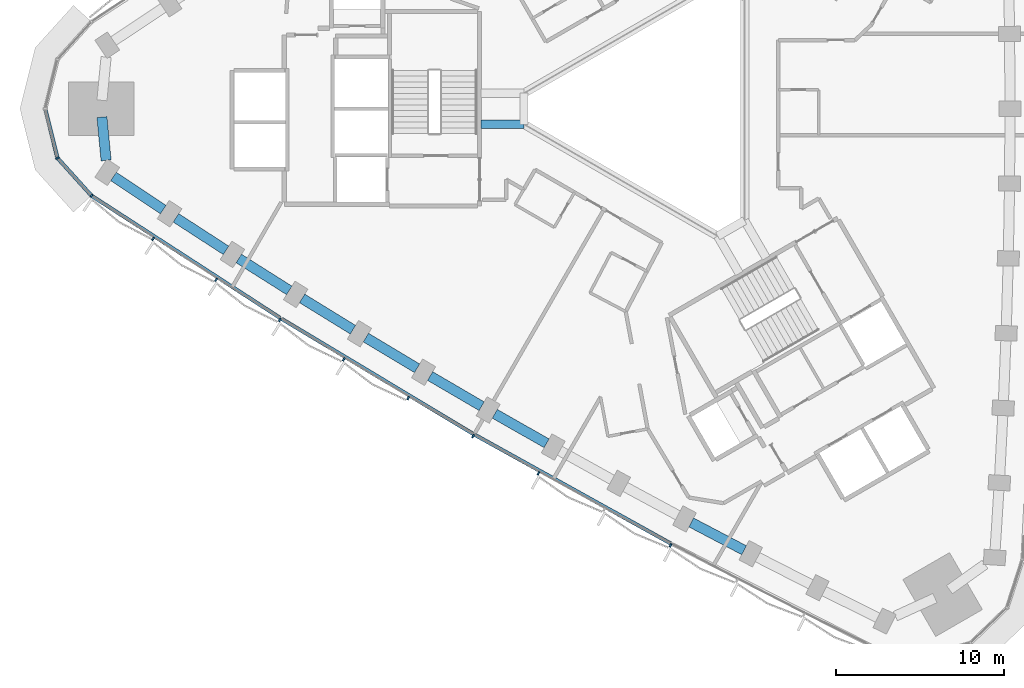
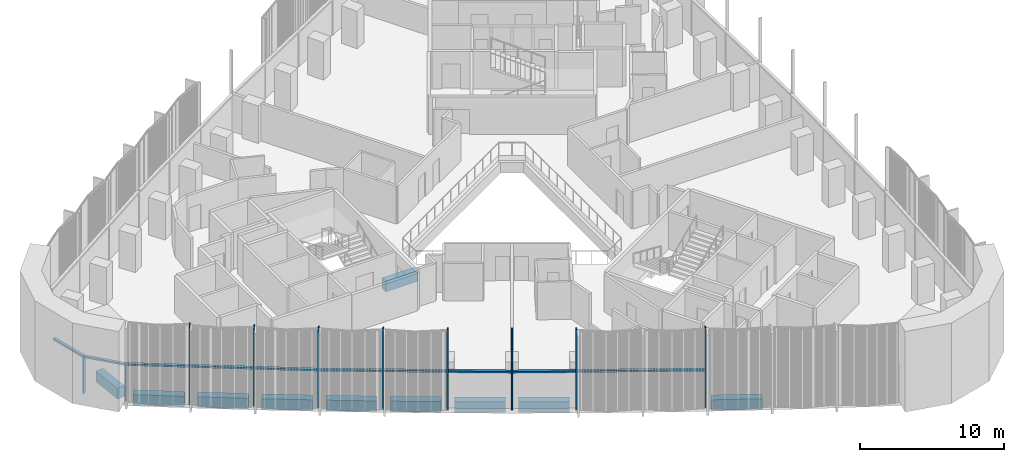
# One storey, part 2 of 15: 15 members, 10 beams, 2 elements without a shape of their own.
"""IFC4 building model written with IfcOpenShell, lengths in metres."""

from ifc_helpers import new_model, si_unit, direction, frame, origin, origin_2d, place, context, subcontext, project, spatial, rectangle, extrude, material, material_profile, profile_set, type_object, element, aggregate, save


model = new_model("IFC4")

# Units and contexts
model_context = context("Model", 3, precision=1e-05, world=origin(), true_north=direction((0.0, 1.0)))
body_context = subcontext(model_context, "Body", "Model", "MODEL_VIEW")
ifc_project = project(units=[si_unit("LENGTHUNIT", "METRE"), si_unit("AREAUNIT", "SQUARE_METRE"), si_unit("VOLUMEUNIT", "CUBIC_METRE"), si_unit("PLANEANGLEUNIT", "RADIAN"), si_unit("MASSUNIT", "GRAM", prefix="KILO")], contexts=[model_context])

# Site, building, storey
site_placement = place(None, origin())
site = spatial("IfcSite", under=ifc_project, at=site_placement, CompositionType="ELEMENT")
building_placement = place(site_placement, origin())
building = spatial("IfcBuilding", under=site, at=building_placement, Name="Tamra Quay Hotel Tower", CompositionType="ELEMENT")
storey_placement = place(building_placement, frame((0.0, 0.0, 111.800048828125)))
storey = spatial("IfcBuildingStorey", under=building, at=storey_placement, Name="L27", CompositionType="ELEMENT", Elevation=111.800048828125)

# Beam
ifc_material_1 = material(Name="Concrete M60", Category="concrete")
ifc_material_profile_1 = material_profile(ifc_material_1, rectangle(XDim=0.5, YDim=0.89990234375, at=origin_2d()), Name="ATRIUM TIE BEAM RC 500x900")
ifc_profile_set_1 = profile_set([ifc_material_profile_1], Name="Concrete M60")
beam_type_1 = type_object("IfcBeamType", Name="ATRIUM TIE BEAM RC 500x900", PredefinedType="BEAM", material=ifc_profile_set_1)
beam_1_placement = place(storey_placement, frame((-8.199951171875, -0.923828125, -0.875), z_axis=(-1.0, 0.0, 0.0), x_axis=(0.0, -1.0, 0.0)))
element("IfcBeam", 1, at=beam_1_placement, inside=storey, type_object=beam_type_1, Name="BM-TIE-3-L27", PredefinedType="BEAM", context=body_context, shape_type="SweptSolid", body=[
    extrude(rectangle(XDim=0.5, YDim=0.89990234375, at=origin_2d()), origin(), (0.0, 0.0, 1.0), 2.562255859375),
])

# Curtain wall, member
ifc_material_2 = material(Name="Aluminium 6063 anodised dark grey", Category="aluminium")
curtain_wall_type_1 = type_object("IfcCurtainWallType", Name="CW2 CURTAIN WALL", PredefinedType="NOTDEFINED", material=ifc_material_2)
curtain_wall_1_placement = place(storey_placement, origin())
curtain_wall_1 = element("IfcCurtainWall", 2, at=curtain_wall_1_placement, inside=storey, type_object=curtain_wall_type_1, Name="CW2 north-west face L27", PredefinedType="NOTDEFINED")
ifc_material_profile_2 = material_profile(ifc_material_2, rectangle(XDim=0.219970703125, YDim=0.10009765625, at=origin_2d()), Name="MULLION 100X220")
ifc_profile_set_2 = profile_set([ifc_material_profile_2], Name="Aluminium 6063 anodised dark grey")
member_type_1 = type_object("IfcMemberType", Name="MULLION CW2 Z2", PredefinedType="MULLION", material=ifc_profile_set_2)
member_1_placement = place(storey_placement, frame((-35.90673828125, -2.9267578125, 0.0), z_axis=(0.0, 0.0, 1.0), x_axis=(-0.882543846683, -0.47023011248, 0.0)))
member_1 = element("IfcMember", 3, at=member_1_placement, type_object=member_type_1, Name="CW2 mullion L27.NW.16", PredefinedType="MULLION", context=body_context, shape_type="SweptSolid", body=[
    extrude(rectangle(XDim=0.219970703125, YDim=0.10009765625, at=origin_2d()), origin(), (0.0, 0.0, 1.0), 3.175048828125),
])

# Curtain wall, members
curtain_wall_type_2 = type_object("IfcCurtainWallType", Name="CW3 CURTAIN WALL", PredefinedType="NOTDEFINED", material=ifc_material_2)
curtain_wall_2_placement = place(storey_placement, origin())
curtain_wall_2 = element("IfcCurtainWall", 4, at=curtain_wall_2_placement, inside=storey, type_object=curtain_wall_type_2, Name="CW3 south-west face L27", PredefinedType="NOTDEFINED")
ifc_material_profile_3 = material_profile(ifc_material_2, rectangle(XDim=0.219970703125, YDim=0.10009765625, at=origin_2d()), Name="MULLION 100X220")
ifc_profile_set_3 = profile_set([ifc_material_profile_3], Name="Aluminium 6063 anodised dark grey")
member_type_2 = type_object("IfcMemberType", Name="MULLION CW3 Z2", PredefinedType="MULLION", material=ifc_profile_set_3)
member_2_placement = place(storey_placement, frame((-33.88525390625, -5.166015625, 0.0), z_axis=(0.0, 0.0, 1.0), x_axis=(-0.652886907072, -0.757455402366, 0.0)))
member_2 = element("IfcMember", 5, at=member_2_placement, type_object=member_type_2, Name="CW3 mullion L27.SW.1", PredefinedType="MULLION", context=body_context, shape_type="SweptSolid", body=[
    extrude(rectangle(XDim=0.219970703125, YDim=0.10009765625, at=origin_2d()), origin(), (0.0, 0.0, 1.0), 3.175048828125),
])
member_3_placement = place(storey_placement, frame((-30.2275390625, -7.7275390625, 0.0), z_axis=(0.0, 0.0, 1.0), x_axis=(-0.548547395815, -0.836119461886, 0.0)))
member_3 = element("IfcMember", 6, at=member_3_placement, type_object=member_type_2, Name="CW3 mullion L27.SW.2", PredefinedType="MULLION", context=body_context, shape_type="SweptSolid", body=[
    extrude(rectangle(XDim=0.219970703125, YDim=0.10009765625, at=origin_2d()), origin(), (0.0, 0.0, 1.0), 6.800048828125),
])
member_4_placement = place(storey_placement, frame((-26.480224609375, -10.155517578125, 0.0), z_axis=(0.0, 0.0, 1.0), x_axis=(-0.538998382955, -0.842306798721, 0.0)))
member_4 = element("IfcMember", 7, at=member_4_placement, type_object=member_type_2, Name="CW3 mullion L27.SW.3", PredefinedType="MULLION", context=body_context, shape_type="SweptSolid", body=[
    extrude(rectangle(XDim=0.219970703125, YDim=0.10009765625, at=origin_2d()), origin(), (0.0, 0.0, 1.0), 6.800048828125),
])
member_5_placement = place(storey_placement, frame((-22.70556640625, -12.540771484375, 0.0), z_axis=(0.0, 0.0, 1.0), x_axis=(-0.529364244047, -0.848394658826, 0.0)))
member_5 = element("IfcMember", 8, at=member_5_placement, type_object=member_type_2, Name="CW3 mullion L27.SW.4", PredefinedType="MULLION", context=body_context, shape_type="SweptSolid", body=[
    extrude(rectangle(XDim=0.219970703125, YDim=0.10009765625, at=origin_2d()), origin(), (0.0, 0.0, 1.0), 6.800048828125),
])
member_6_placement = place(storey_placement, frame((-18.90380859375, -14.883056640625, 0.0), z_axis=(0.0, 0.0, 1.0), x_axis=(-0.519649964402, -0.854379256827, 0.0)))
member_6 = element("IfcMember", 9, at=member_6_placement, type_object=member_type_2, Name="CW3 mullion L27.SW.5", PredefinedType="MULLION", context=body_context, shape_type="SweptSolid", body=[
    extrude(rectangle(XDim=0.219970703125, YDim=0.10009765625, at=origin_2d()), origin(), (0.0, 0.0, 1.0), 6.800048828125),
])
member_7_placement = place(storey_placement, frame((-15.07568359375, -17.181396484375, 0.0), z_axis=(0.0, 0.0, 1.0), x_axis=(-0.50986039475, -0.860257157985, 0.0)))
member_7 = element("IfcMember", 10, at=member_7_placement, type_object=member_type_2, Name="CW3 mullion L27.SW.6", PredefinedType="MULLION", context=body_context, shape_type="SweptSolid", body=[
    extrude(rectangle(XDim=0.219970703125, YDim=0.10009765625, at=origin_2d()), origin(), (0.0, 0.0, 1.0), 6.800048828125),
])
member_8_placement = place(storey_placement, frame((-11.221435546875, -19.436279296875, 0.0), z_axis=(0.0, 0.0, 1.0), x_axis=(-0.5, -0.866025403784, 0.0)))
member_8 = element("IfcMember", 11, at=member_8_placement, type_object=member_type_2, Name="CW3 mullion L27.SW.7", PredefinedType="MULLION", context=body_context, shape_type="SweptSolid", body=[
    extrude(rectangle(XDim=0.219970703125, YDim=0.10009765625, at=origin_2d()), origin(), (0.0, 0.0, 1.0), 6.800048828125),
])
member_9_placement = place(storey_placement, frame((-7.341796875, -21.646728515625, 0.0), z_axis=(0.0, 0.0, 1.0), x_axis=(-0.490074355228, -0.87168063323, 0.0)))
member_9 = element("IfcMember", 12, at=member_9_placement, type_object=member_type_2, Name="CW3 mullion L27.SW.8", PredefinedType="MULLION", context=body_context, shape_type="SweptSolid", body=[
    extrude(rectangle(XDim=0.219970703125, YDim=0.10009765625, at=origin_2d()), origin(), (0.0, 0.0, 1.0), 6.800048828125),
])
member_10_placement = place(storey_placement, frame((0.491943359375, -25.93408203125, 0.0), z_axis=(0.0, 0.0, 1.0), x_axis=(-0.470049204955, -0.882640212613, 0.0)))
member_10 = element("IfcMember", 13, at=member_10_placement, type_object=member_type_2, Name="CW3 mullion L27.SW.10", PredefinedType="MULLION", context=body_context, shape_type="SweptSolid", body=[
    extrude(rectangle(XDim=0.219970703125, YDim=0.10009765625, at=origin_2d()), origin(), (0.0, 0.0, 1.0), 6.800048828125),
])

# Beams
ifc_material_profile_4 = material_profile(ifc_material_1, rectangle(XDim=0.60009765625, YDim=0.89990234375, at=origin_2d()), Name="SPANDREL BEAM RC 600x900")
ifc_profile_set_4 = profile_set([ifc_material_profile_4], Name="Concrete M60")
beam_type_2 = type_object("IfcBeamType", Name="SPANDREL BEAM RC 600x900", PredefinedType="SPANDREL", material=ifc_profile_set_4)
beam_2_placement = place(storey_placement, frame((-33.26611328125, -0.497802734375, -0.875), z_axis=(0.09550001445, -0.995429428558, 0.0), x_axis=(0.995429428558, 0.09550001445, 0.0)))
element("IfcBeam", 14, at=beam_2_placement, inside=storey, type_object=beam_type_2, Name="BM-SP2-027-L27", PredefinedType="SPANDREL", context=body_context, shape_type="SweptSolid", body=[
    extrude(rectangle(XDim=0.60009765625, YDim=0.89990234375, at=origin_2d()), origin(), (0.0, 0.0, 1.0), 2.58447265625),
])
beam_3_placement = place(storey_placement, frame((-32.57666015625, -4.025390625, -0.875), z_axis=(0.832981511469, -0.55330082374, 0.0), x_axis=(0.55330082374, 0.832981511469, 0.0)))
element("IfcBeam", 15, at=beam_3_placement, inside=storey, type_object=beam_type_2, Name="BM-SP2-028-L27", PredefinedType="SPANDREL", context=body_context, shape_type="SweptSolid", body=[
    extrude(rectangle(XDim=0.60009765625, YDim=0.89990234375, at=origin_2d()), origin(), (0.0, 0.0, 1.0), 3.544921875),
])
beam_4_placement = place(storey_placement, frame((-28.87109375, -6.480712890625, -0.875), z_axis=(0.839237385713, -0.543765216266, 0.0), x_axis=(0.543765216266, 0.839237385713, 0.0)))
element("IfcBeam", 16, at=beam_4_placement, inside=storey, type_object=beam_type_2, Name="BM-SP2-029-L27", PredefinedType="SPANDREL", context=body_context, shape_type="SweptSolid", body=[
    extrude(rectangle(XDim=0.60009765625, YDim=0.89990234375, at=origin_2d()), origin(), (0.0, 0.0, 1.0), 3.544677734375),
])
for number, where, z_axis, x_axis, name in (
    (17, (-25.13818359375, -8.893310546875, -0.875), (0.845333394052, -0.534239134566, 0.0), (0.534239134566, 0.845333394052, 0.0), "BM-SP2-030-L27"),
    (18, (-21.3779296875, -11.263427734375, -0.875), (0.851393361846, -0.524527733685, 0.0), (0.524527733685, 0.851393361846, 0.0), "BM-SP2-031-L27"),
):
    element("IfcBeam", number, at=place(storey_placement, frame(where, z_axis=z_axis, x_axis=x_axis)), inside=storey, type_object=beam_type_2, Name=name, PredefinedType="SPANDREL", context=body_context, shape_type="SweptSolid", body=[
        extrude(rectangle(XDim=0.60009765625, YDim=0.89990234375, at=origin_2d()), origin(), (0.0, 0.0, 1.0), 3.544921875),
    ])
for number, where, z_axis, x_axis, name in (
    (19, (-17.5908203125, -13.59033203125, -0.875), (0.857286231776, -0.514840088578, 0.0), (0.514840088578, 0.857286231776, 0.0), "BM-SP2-032-L27"),
    (20, (-13.777587890625, -15.8740234375, -0.875), (0.863128698129, -0.504984010109, 0.0), (0.504984010109, 0.863128698129, 0.0), "BM-SP2-033-L27"),
):
    element("IfcBeam", number, at=place(storey_placement, frame(where, z_axis=z_axis, x_axis=x_axis)), inside=storey, type_object=beam_type_2, Name=name, PredefinedType="SPANDREL", context=body_context, shape_type="SweptSolid", body=[
        extrude(rectangle(XDim=0.60009765625, YDim=0.89990234375, at=origin_2d()), origin(), (0.0, 0.0, 1.0), 3.544677734375),
    ])
beam_5_placement = place(storey_placement, frame((-9.9384765625, -18.114013671875, -0.875), z_axis=(0.868869699181, -0.495040852704, 0.0), x_axis=(0.495040852704, 0.868869699181, 0.0)))
element("IfcBeam", 21, at=beam_5_placement, inside=storey, type_object=beam_type_2, Name="BM-SP2-034-L27", PredefinedType="SPANDREL", context=body_context, shape_type="SweptSolid", body=[
    extrude(rectangle(XDim=0.60009765625, YDim=0.89990234375, at=origin_2d()), origin(), (0.0, 0.0, 1.0), 3.544921875),
])
beam_6_placement = place(storey_placement, frame((1.72900390625, -24.568603515625, -0.875), z_axis=(0.885322773021, -0.464976975312, 0.0), x_axis=(0.464976975312, 0.885322773021, 0.0)))
element("IfcBeam", 22, at=beam_6_placement, inside=storey, type_object=beam_type_2, Name="BM-SP2-037-L27", PredefinedType="SPANDREL", context=body_context, shape_type="SweptSolid", body=[
    extrude(rectangle(XDim=0.60009765625, YDim=0.89990234375, at=origin_2d()), origin(), (0.0, 0.0, 1.0), 3.544677734375),
])

# Member
ifc_material_profile_5 = material_profile(ifc_material_2, rectangle(XDim=0.219970703125, YDim=0.139892578125, at=origin_2d()), Name="TRANSOM 220X140")
ifc_profile_set_5 = profile_set([ifc_material_profile_5], Name="Aluminium 6063 anodised dark grey")
member_type_3 = type_object("IfcMemberType", Name="TRANSOM CW2 Z2", PredefinedType="USERDEFINED", material=ifc_profile_set_5)
member_11_placement = place(storey_placement, frame((-36.62548828125, -0.048583984375, 3.10498046875), z_axis=(0.242338656789, -0.970191720963, 0.0), x_axis=(0.970191720963, 0.242338656789, 0.0)))
member_11 = element("IfcMember", 23, at=member_11_placement, type_object=member_type_3, Name="CW2 transom L27.NW.15", ObjectType="TRANSOM", PredefinedType="USERDEFINED", context=body_context, shape_type="SweptSolid", body=[
    extrude(rectangle(XDim=0.219970703125, YDim=0.139892578125, at=origin_2d()), origin(), (0.0, 0.0, 1.0), 2.91650390625),
])

member_12_placement = place(storey_placement, frame((-35.873046875, -2.9638671875, 3.10498046875), z_axis=(0.670064659649, -0.742302736011, 0.0), x_axis=(0.742302736011, 0.670064659649, 0.0)))
member_12 = element("IfcMember", 24, at=member_12_placement, type_object=member_type_3, Name="CW2 transom L27.NW.16", ObjectType="TRANSOM", PredefinedType="USERDEFINED", context=body_context, shape_type="SweptSolid", body=[
    extrude(rectangle(XDim=0.219970703125, YDim=0.139892578125, at=origin_2d()), origin(), (0.0, 0.0, 1.0), 2.916748046875),
])

aggregate(curtain_wall_1, [member_11, member_1, member_12])

ifc_material_profile_6 = material_profile(ifc_material_2, rectangle(XDim=0.219970703125, YDim=0.139892578125, at=origin_2d()), Name="TRANSOM 220X140")
ifc_profile_set_6 = profile_set([ifc_material_profile_6], Name="Aluminium 6063 anodised dark grey")
member_type_4 = type_object("IfcMemberType", Name="TRANSOM CW3 Z2", PredefinedType="USERDEFINED", material=ifc_profile_set_6)
member_13_placement = place(storey_placement, frame((-33.843505859375, -5.193603515625, 3.10498046875), z_axis=(0.839227967527, -0.543779751849, 0.0), x_axis=(0.543779751849, 0.839227967527, 0.0)))
member_13 = element("IfcMember", 25, at=member_13_placement, type_object=member_type_4, Name="CW3 transom L27.SW.1", ObjectType="TRANSOM", PredefinedType="USERDEFINED", context=body_context, shape_type="SweptSolid", body=[
    extrude(rectangle(XDim=0.219970703125, YDim=0.139892578125, at=origin_2d()), origin(), (0.0, 0.0, 1.0), 13.290771484375),
])

member_14_placement = place(storey_placement, frame((-22.604736328125, -12.473876953125, 3.10498046875), z_axis=(0.857334050853, -0.514760454238, 0.0), x_axis=(0.514760454238, 0.857334050853, 0.0)))
member_14 = element("IfcMember", 26, at=member_14_placement, type_object=member_type_4, Name="CW3 transom L27.SW.4", ObjectType="TRANSOM", PredefinedType="USERDEFINED", context=body_context, shape_type="SweptSolid", body=[
    extrude(rectangle(XDim=0.219970703125, YDim=0.139892578125, at=origin_2d()), origin(), (0.0, 0.0, 1.0), 13.291259765625),
])

member_15_placement = place(storey_placement, frame((-11.123046875, -19.36572265625, 3.10498046875), z_axis=(0.874463819192, -0.48509074298, 0.0), x_axis=(0.48509074298, 0.874463819192, 0.0)))
member_15 = element("IfcMember", 27, at=member_15_placement, type_object=member_type_4, Name="CW3 transom L27.SW.7", ObjectType="TRANSOM", PredefinedType="USERDEFINED", context=body_context, shape_type="SweptSolid", body=[
    extrude(rectangle(XDim=0.219970703125, YDim=0.139892578125, at=origin_2d()), origin(), (0.0, 0.0, 1.0), 13.291259765625),
])

aggregate(curtain_wall_2, [member_2, member_13, member_3, member_4, member_5, member_14, member_6, member_7, member_8, member_15, member_9, member_10])

save(model, "model.ifc")
